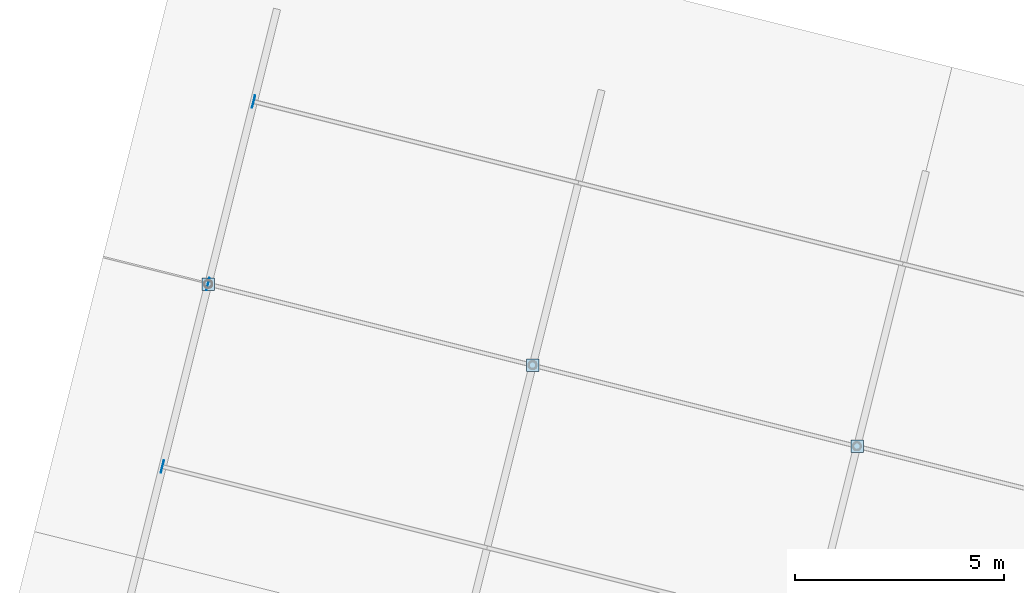
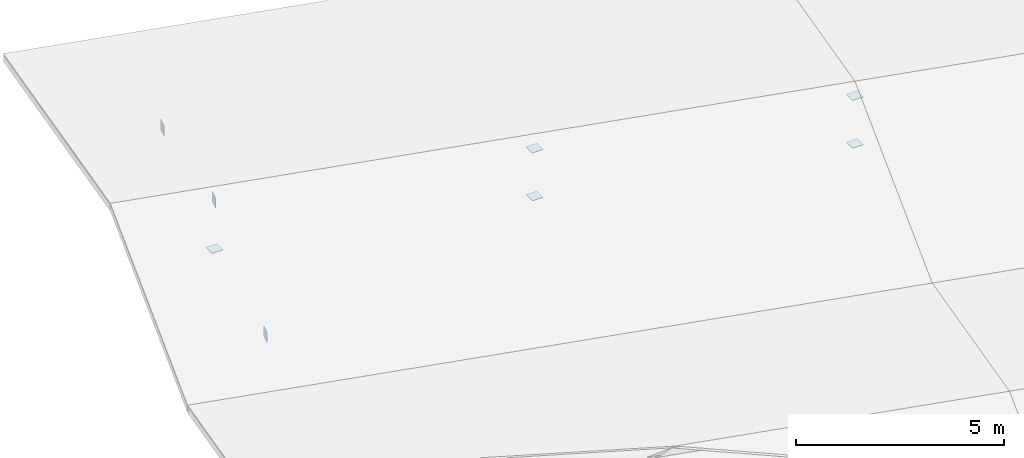
# One storey, part 101 of 107: 8 plates.
"""IFC4 building model written with IfcOpenShell, lengths in metres."""

from ifc_helpers import new_model, si_unit, derived_unit, direction, frame, origin, origin_2d, place, context, subcontext, project, spatial, rectangle, extrude, material, layer, layer_set, type_object, element, save


model = new_model("IFC4")

# Units and contexts
model_context = context("Model", 3, precision=1e-05, world=origin(), true_north=direction((0.0, 1.0)))
body_context = subcontext(model_context, "Body", "Model", "MODEL_VIEW")
ifc_project = project(units=[si_unit("LENGTHUNIT", "METRE"), si_unit("AREAUNIT", "SQUARE_METRE"), si_unit("VOLUMEUNIT", "CUBIC_METRE"), si_unit("PLANEANGLEUNIT", "RADIAN"), si_unit("MASSUNIT", "GRAM", prefix="KILO"), si_unit("THERMODYNAMICTEMPERATUREUNIT", "KELVIN"), si_unit("TIMEUNIT", "SECOND"), derived_unit("THERMALTRANSMITTANCEUNIT", [(si_unit("MASSUNIT", "GRAM", prefix="KILO"), 1), (si_unit("THERMODYNAMICTEMPERATUREUNIT", "KELVIN"), -1), (si_unit("TIMEUNIT", "SECOND"), -3)])], contexts=[model_context])

# Site, building, storey
site_placement = place(None, origin())
site = spatial("IfcSite", under=ifc_project, at=site_placement, CompositionType="ELEMENT")
building_placement = place(site_placement, origin())
building = spatial("IfcBuilding", under=site, at=building_placement, Name="Cambertide Market Hall", CompositionType="ELEMENT")
storey_placement = place(building_placement, frame((0.0, 0.0, 18.300048828125)))
storey = spatial("IfcBuildingStorey", under=building, at=storey_placement, Name="RF", CompositionType="ELEMENT", Elevation=18.300048828125)

# Plates
ifc_material = material(Name="Steel S355", Category="steel")
ifc_layer = layer(ifc_material, 0.013916015625, Name="Steel End Cap Plate EC-02")
ifc_layer_set = layer_set([ifc_layer], Name="Steel S355")
plate_type = type_object("IfcPlateType", Name="Steel End Cap Plate EC-02", PredefinedType="USERDEFINED", material=ifc_layer_set)
for number, where, z_axis, x_axis, name in (
    (1, (111.813232421875, 115.281494140625, -0.0322265625), (0.0, 0.0, 1.0), (0.970142500145, -0.242535625038, 0.0), "V4 West Gable Purlin Cap Plate 157"),
    (2, (112.904541015625, 119.64697265625, 0.88330078125), (0.0, 0.0, 1.0), (0.970142500145, -0.242535625038, 0.0), "V4 West Gable Purlin Cap Plate 202"),
    (3, (113.995849609375, 124.0126953125, -0.0322265625), (0.0, 0.0, 1.0), (0.970142500145, -0.242535625038, 0.0), "V4 West Gable Purlin Cap Plate 247"),
):
    element("IfcPlate", number, at=place(storey_placement, frame(where, z_axis=z_axis, x_axis=x_axis)), inside=storey, type_object=plate_type, Name=name, ObjectType="END CAP PLATE", PredefinedType="USERDEFINED", context=body_context, shape_type="SweptSolid", body=[
        extrude(rectangle(XDim=0.013916015625, YDim=0.300048828125, at=origin_2d()), origin(), (0.0, 0.0, 1.0), 0.300048828125),
    ])
for number, where, z_axis, x_axis, name in (
    (4, (112.911376953125, 119.6455078125, -0.4072265625), (0.0, 0.0, 1.0), (1.0, 0.0, 0.0), "High-Bay Brace Connection End Cap Plate EC-BRN-240"),
    (5, (120.672607421875, 117.705078125, -0.4072265625), (0.0, 0.0, 1.0), (1.0, 0.0, 0.0), "High-Bay Brace Connection End Cap Plate EC-BRN-243"),
    (6, (120.672607421875, 117.705078125, 0.99609375), (0.0, 0.0, 1.0), (1.0, 0.0, 0.0), "High-Bay Brace Connection End Cap Plate EC-BRN-244"),
    (7, (128.43359375, 115.764892578125, -0.4072265625), (0.0, 0.0, 1.0), (1.0, 0.0, 0.0), "High-Bay Brace Connection End Cap Plate EC-BRN-247"),
    (8, (128.43359375, 115.764892578125, 0.99609375), (0.0, 0.0, 1.0), (1.0, 0.0, 0.0), "High-Bay Brace Connection End Cap Plate EC-BRN-248"),
):
    element("IfcPlate", number, at=place(storey_placement, frame(where, z_axis=z_axis, x_axis=x_axis)), inside=storey, type_object=plate_type, Name=name, ObjectType="END CAP PLATE", PredefinedType="USERDEFINED", context=body_context, shape_type="SweptSolid", body=[
        extrude(rectangle(XDim=0.300048828125, YDim=0.300048828125, at=origin_2d()), origin(), (0.0, 0.0, 1.0), 0.013916015625),
    ])

save(model, "model.ifc")
